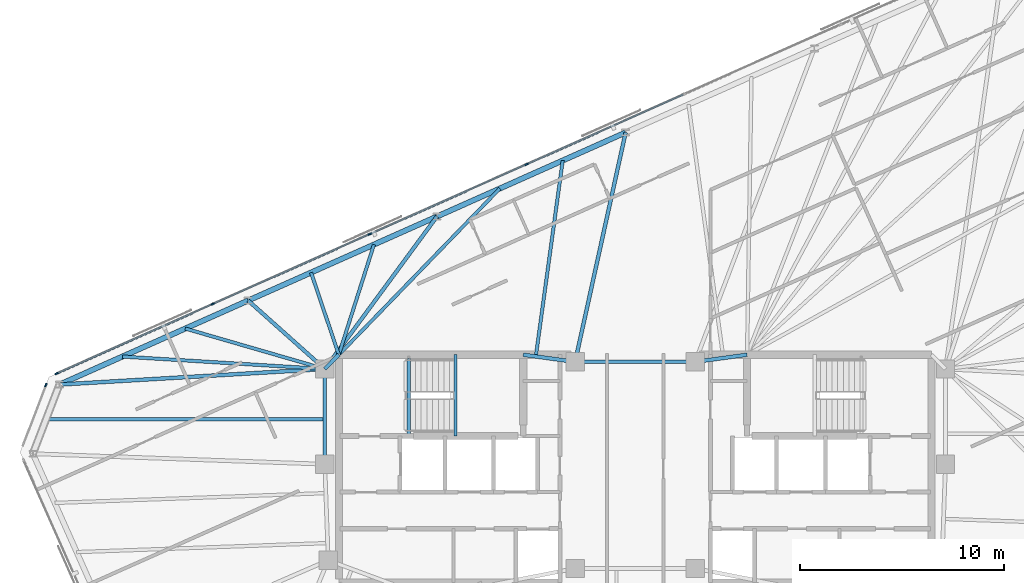
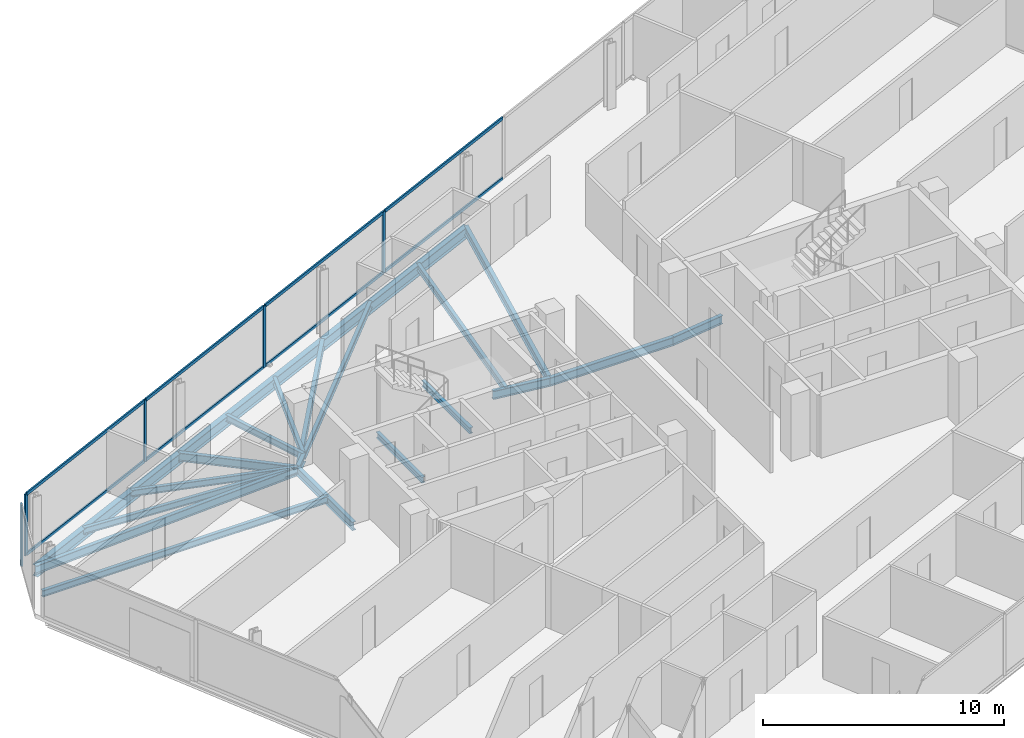
# One storey, part 9 of 19: 21 beams, 13 members, 2 elements without a shape of their own.
"""IFC4 building model written with IfcOpenShell, lengths in metres."""

import ifcopenshell
import ifcopenshell.guid

model = None  # the IFC model being written
_history = None  # IfcOwnerHistory: only IFC2X3 demands one
_inside = {}  # id of a spatial element -> (the spatial element, [elements in it])
_under = {}  # id of a project, library or spatial element -> (it, [spatial elements below it])
_declared = {}  # id of a project -> (the project, [libraries it declares])
_typed = {}  # id of a type object -> (the type object, [elements of that type])
_made_of = {}  # id of a material, layer set ... -> (it, [elements and type objects made of it])


def new_model(schema):
    """Start an empty IFC model of exactly this schema.

    Asked for "IFC4X3", IfcOpenShell would pick the latest addendum, in which some entities
    have other attributes; the version numbers below select the first issue.
    IFC2X3 requires an IfcOwnerHistory on every rooted entity: one is made here for all.
    """
    global model, _history
    if schema == "IFC4X3":
        model = ifcopenshell.file(schema_version=(4, 3, 0, 0))
    else:
        model = ifcopenshell.file(schema=schema)
    _inside.clear()
    _under.clear()
    _declared.clear()
    _typed.clear()
    _made_of.clear()
    _history = None
    if model.schema == "IFC2X3":
        org = make("IfcOrganization", Name="unknown")
        user = make(
            "IfcPersonAndOrganization",
            ThePerson=make("IfcPerson", FamilyName="unknown"),
            TheOrganization=org,
        )
        app = make(
            "IfcApplication",
            ApplicationDeveloper=org,
            Version="unknown",
            ApplicationFullName="unknown",
            ApplicationIdentifier="unknown",
        )
        _history = make(
            "IfcOwnerHistory",
            OwningUser=user,
            OwningApplication=app,
            ChangeAction="ADDED",
            CreationDate=0,
        )
    return model


def make(cls, **values):
    """One entity of the class cls with the attributes given. An attribute that is None is left unset."""
    return model.create_entity(
        cls, **{name: value for name, value in values.items() if value is not None}
    )


def rooted(cls, **values):
    """An entity with a GlobalId (a new one), such as an element, a storey or a relation."""
    return make(cls, GlobalId=ifcopenshell.guid.new(), OwnerHistory=_history, **values)


def si_unit(unit_type, name, prefix=None):
    """IfcSIUnit, for example si_unit("LENGTHUNIT", "METRE", prefix="MILLI")."""
    return make("IfcSIUnit", UnitType=unit_type, Prefix=prefix, Name=name)


def assignment(units):
    """IfcUnitAssignment: the units of a project."""
    return None if units is None else make("IfcUnitAssignment", Units=units)


def point(xyz):
    """IfcCartesianPoint."""
    return None if xyz is None else make("IfcCartesianPoint", Coordinates=xyz)


def direction(xyz):
    """IfcDirection."""
    return None if xyz is None else make("IfcDirection", DirectionRatios=xyz)


def frame(location, z_axis=None, x_axis=None):
    """IfcAxis2Placement3D, a coordinate frame: its origin and axes. An axis left out is left unset."""
    return make(
        "IfcAxis2Placement3D",
        Location=point(location),
        Axis=direction(z_axis),
        RefDirection=direction(x_axis),
    )


def frame_2d(location, x_axis=None):
    """IfcAxis2Placement2D, a coordinate frame in the plane: its origin and x axis."""
    return make(
        "IfcAxis2Placement2D", Location=point(location), RefDirection=direction(x_axis)
    )


def origin():
    """The frame at (0, 0, 0) with its axes left unset."""
    return frame((0.0, 0.0, 0.0))


def origin_2d():
    """The frame at (0, 0) in the plane with its x axis left unset."""
    return frame_2d((0.0, 0.0))


def place(relative_to, where):
    """IfcLocalPlacement: puts the frame where relative to a parent placement (None: the world)."""
    return make(
        "IfcLocalPlacement", PlacementRelTo=relative_to, RelativePlacement=where
    )


def context(
    kind, dimensions, precision=None, world=None, true_north=None, identifier=None
):
    """IfcGeometricRepresentationContext, for example the 3D "Model" context."""
    return make(
        "IfcGeometricRepresentationContext",
        ContextIdentifier=identifier,
        ContextType=kind,
        CoordinateSpaceDimension=dimensions,
        Precision=precision,
        WorldCoordinateSystem=world,
        TrueNorth=true_north,
    )


def subcontext(parent, identifier, kind, view, scale=None):
    """IfcGeometricRepresentationSubContext, for example "Body" below "Model"."""
    return make(
        "IfcGeometricRepresentationSubContext",
        ContextIdentifier=identifier,
        ContextType=kind,
        ParentContext=parent,
        TargetScale=scale,
        TargetView=view,
    )


def project(units=None, contexts=None):
    """IfcProject with its units and contexts."""
    return rooted(
        "IfcProject",
        Name="project",
        RepresentationContexts=contexts,
        UnitsInContext=assignment(units),
    )


def spatial(cls, under=None, at=None, **own):
    """A site, building, storey or space (cls), placed at a placement, below another one or the project."""
    s = rooted(cls, ObjectPlacement=at, **own)
    if under is not None:
        _under.setdefault(under.id(), (under, []))[1].append(s)
    return s


def profile(cls, at=None, kind="AREA", **sizes):
    """A parametric profile (cls). Its sizes go by their IFC names, for example OverallWidth=200.0."""
    return make(cls, ProfileType=kind, Position=at, **sizes)


def rectangle(**sizes):
    """IfcRectangleProfileDef."""
    return profile("IfcRectangleProfileDef", **sizes)


def i_section(**sizes):
    """IfcIShapeProfileDef."""
    return profile("IfcIShapeProfileDef", **sizes)


def extrude(swept, where, along, depth):
    """IfcExtrudedAreaSolid: the profile swept, set in the frame where, extruded along a direction by depth."""
    return make(
        "IfcExtrudedAreaSolid",
        SweptArea=swept,
        Position=where,
        ExtrudedDirection=direction(along),
        Depth=depth,
    )


def shape(context_of_items, identifier, shape_type, items):
    """IfcShapeRepresentation: the items that make up one representation, for example the "Body"."""
    return make(
        "IfcShapeRepresentation",
        ContextOfItems=context_of_items,
        RepresentationIdentifier=identifier,
        RepresentationType=shape_type,
        Items=items,
    )


def material(Name=None, Category=None):
    """IfcMaterial."""
    return make("IfcMaterial", Name=Name, Category=Category)


def material_profile(
    of_material, cross_section, Name=None, Category=None, Priority=None
):
    """IfcMaterialProfile: a cross section and its material."""
    return make(
        "IfcMaterialProfile",
        Name=Name,
        Material=of_material,
        Profile=cross_section,
        Priority=Priority,
        Category=Category,
    )


def profile_set(profiles, Name=None, composite=None):
    """IfcMaterialProfileSet."""
    return make(
        "IfcMaterialProfileSet",
        Name=Name,
        MaterialProfiles=profiles,
        CompositeProfile=composite,
    )


def made_of(thing, what):
    """Note that an element or type object is made of a material, layer set ...; save() writes the relation."""
    if what is not None:
        _made_of.setdefault(what.id(), (what, []))[1].append(thing)
    return thing


def type_object(cls, material=None, **own):
    """A type object (cls), such as IfcWallType, which elements share."""
    return made_of(rooted(cls, **own), material)


def element(
    cls,
    number,
    at=None,
    inside=None,
    cuts=None,
    type_object=None,
    material=None,
    context=None,
    identifier="Body",
    shape_type=None,
    held_by="IfcProductDefinitionShape",
    body=None,
    shapes=None,
    **own,
):
    """One element of the class cls, such as IfcWall. Its Tag is "e" and its number.

    at: its placement. inside: the storey or other place that contains it. cuts: it is an
    opening in that element (IfcRelVoidsElement). A single representation is given by context,
    identifier, shape_type and body (its items); several are given by shapes. held_by: the class
    of the entity that holds the representations. save() writes the other relations.
    """
    e = rooted(cls, Tag="e%d" % number, ObjectPlacement=at, **own)
    if body is not None:
        shapes = [shape(context, identifier, shape_type, body)]
    if shapes is not None:
        e.Representation = make(held_by, Representations=shapes)
    if inside is not None:
        _inside.setdefault(inside.id(), (inside, []))[1].append(e)
    if cuts is not None:
        rooted(
            "IfcRelVoidsElement", RelatingBuildingElement=cuts, RelatedOpeningElement=e
        )
    if type_object is not None:
        _typed.setdefault(type_object.id(), (type_object, []))[1].append(e)
    return made_of(e, material)


def aggregate(whole, parts):
    """IfcRelAggregates: a whole, such as a stair, and the parts it consists of."""
    return rooted("IfcRelAggregates", RelatingObject=whole, RelatedObjects=parts)


def save(model, path):
    """Write the relations noted so far, then the file.

    IfcRelAggregates (storeys below a building ...), IfcRelContainedInSpatialStructure (elements
    in a storey), IfcRelDefinesByType, IfcRelAssociatesMaterial and IfcRelDeclares: one each for
    every whole, place, type object, material and project.
    """
    for whole, parts in _under.values():
        aggregate(whole, parts)
    for where, things in _inside.values():
        rooted(
            "IfcRelContainedInSpatialStructure",
            RelatedElements=things,
            RelatingStructure=where,
        )
    for kind, things in _typed.values():
        rooted("IfcRelDefinesByType", RelatedObjects=things, RelatingType=kind)
    for what, things in _made_of.values():
        rooted("IfcRelAssociatesMaterial", RelatedObjects=things, RelatingMaterial=what)
    for by, libraries in _declared.values():
        rooted("IfcRelDeclares", RelatingContext=by, RelatedDefinitions=libraries)
    model.write(path)


model = new_model("IFC4")

# Units and contexts
model_context = context("Model", 3, precision=1e-05, world=origin(), true_north=direction((0.0, 1.0)))
body_context = subcontext(model_context, "Body", "Model", "MODEL_VIEW")
ifc_project = project(units=[si_unit("LENGTHUNIT", "METRE"), si_unit("AREAUNIT", "SQUARE_METRE"), si_unit("VOLUMEUNIT", "CUBIC_METRE"), si_unit("PLANEANGLEUNIT", "RADIAN"), si_unit("MASSUNIT", "GRAM", prefix="KILO")], contexts=[model_context])

# Site, building, storey
site_placement = place(None, origin())
site = spatial("IfcSite", under=ifc_project, at=site_placement, CompositionType="ELEMENT")
building_placement = place(site_placement, origin())
building = spatial("IfcBuilding", under=site, at=building_placement, Name="Menara Jurai Vektor", CompositionType="ELEMENT")
storey_placement = place(building_placement, frame((0.0, 0.0, 281.89990234375)))
storey = spatial("IfcBuildingStorey", under=building, at=storey_placement, Name="L75", CompositionType="ELEMENT", Elevation=281.89990234375)

# Curtain wall, members
ifc_material_1 = material(Name="Anodised Pale Aluminium & Low-E Double Glazing", Category="aluminium")
curtain_wall_type = type_object("IfcCurtainWallType", Name="CW-BLK5", PredefinedType="NOTDEFINED", material=ifc_material_1)
curtain_wall_1_placement = place(storey_placement, origin())
curtain_wall_1 = element("IfcCurtainWall", 1, at=curtain_wall_1_placement, inside=storey, type_object=curtain_wall_type, Name="Unitised Curtain Wall L75 F05", PredefinedType="NOTDEFINED")
ifc_material_2 = material(Name="Anodised Pale Aluminium Mullion", Category="aluminium")
ifc_material_profile_1 = material_profile(ifc_material_2, rectangle(XDim=0.074951171875, YDim=0.175048828125, at=origin_2d()), Name="ALU MUL 75x175")
ifc_profile_set_1 = profile_set([ifc_material_profile_1], Name="Anodised Pale Aluminium Mullion")
member_type_1 = type_object("IfcMemberType", Name="CW-BLK5-MUL", PredefinedType="MULLION", material=ifc_profile_set_1)
member_1_placement = place(storey_placement, frame((-5.327880859375, 14.957275390625, 0.0), z_axis=(0.0, 0.0, 1.0), x_axis=(0.406735498684, -0.913545967158, 0.0)))
member_1 = element("IfcMember", 2, at=member_1_placement, type_object=member_type_1, Name="CW-05 mullion 4", PredefinedType="MULLION", context=body_context, shape_type="SweptSolid", body=[
    extrude(rectangle(XDim=0.074951171875, YDim=0.175048828125, at=origin_2d()), origin(), (0.0, 0.0, 1.0), 3.125),
])
member_2_placement = place(storey_placement, frame((-13.038330078125, 11.5244140625, 0.0), z_axis=(0.0, 0.0, 1.0), x_axis=(0.406735498684, -0.913545967158, 0.0)))
member_2 = element("IfcMember", 3, at=member_2_placement, type_object=member_type_1, Name="CW-05 mullion 5", PredefinedType="MULLION", context=body_context, shape_type="SweptSolid", body=[
    extrude(rectangle(XDim=0.074951171875, YDim=0.175048828125, at=origin_2d()), origin(), (0.0, 0.0, 1.0), 3.125),
])
member_3_placement = place(storey_placement, frame((-20.748779296875, 8.091552734375, 0.0), z_axis=(0.0, 0.0, 1.0), x_axis=(0.406735498684, -0.913545967158, 0.0)))
member_3 = element("IfcMember", 4, at=member_3_placement, type_object=member_type_1, Name="CW-05 mullion 6", PredefinedType="MULLION", context=body_context, shape_type="SweptSolid", body=[
    extrude(rectangle(XDim=0.074951171875, YDim=0.175048828125, at=origin_2d()), origin(), (0.0, 0.0, 1.0), 3.125),
])
member_4_placement = place(storey_placement, frame((-28.4248046875, 4.674072265625, 0.0), z_axis=(0.0, 0.0, 1.0), x_axis=(0.406735498684, -0.913545967158, 0.0)))
member_4 = element("IfcMember", 5, at=member_4_placement, type_object=member_type_1, Name="CW-05 mullion 7", PredefinedType="MULLION", context=body_context, shape_type="SweptSolid", body=[
    extrude(rectangle(XDim=0.074951171875, YDim=0.175048828125, at=origin_2d()), origin(), (0.0, 0.0, 1.0), 3.125),
])

# Curtain wall, member
curtain_wall_2_placement = place(storey_placement, origin())
curtain_wall_2 = element("IfcCurtainWall", 6, at=curtain_wall_2_placement, inside=storey, type_object=curtain_wall_type, Name="Unitised Curtain Wall L75 F06", PredefinedType="NOTDEFINED")
member_5_placement = place(storey_placement, frame((-28.955810546875, 4.114501953125, 0.0), z_axis=(0.0, 0.0, 1.0), x_axis=(0.933578193639, -0.358373766287, 0.0)))
member_5 = element("IfcMember", 7, at=member_5_placement, type_object=member_type_1, Name="CW-05 mullion 1", PredefinedType="MULLION", context=body_context, shape_type="SweptSolid", body=[
    extrude(rectangle(XDim=0.074951171875, YDim=0.175048828125, at=origin_2d()), origin(), (0.0, 0.0, 1.0), 3.125),
])
aggregate(curtain_wall_2, [member_5])

# Member
ifc_material_3 = material(Name="Anodised Pale Aluminium Transom", Category="aluminium")
ifc_material_profile_2 = material_profile(ifc_material_3, rectangle(XDim=0.074951171875, YDim=0.155029296875, at=origin_2d()), Name="ALU TRN 75x155")
ifc_profile_set_2 = profile_set([ifc_material_profile_2], Name="Anodised Pale Aluminium Transom")
member_type_2 = type_object("IfcMemberType", Name="CW-BLK5-TRN", PredefinedType="USERDEFINED", material=ifc_profile_set_2)
member_6_placement = place(storey_placement, frame((2.34814453125, 18.375, 0.03759765625), z_axis=(-0.913546575494, -0.406734132331, 0.0), x_axis=(0.406734132331, -0.913546575494, 0.0)))
member_6 = element("IfcMember", 8, at=member_6_placement, type_object=member_type_2, Name="CW-05 transom 3.1", ObjectType="TRANSOM", PredefinedType="USERDEFINED", context=body_context, shape_type="SweptSolid", body=[
    extrude(rectangle(XDim=0.074951171875, YDim=0.155029296875, at=origin_2d()), origin(), (0.0, 0.0, 1.0), 8.364990234375),
])

member_7_placement = place(storey_placement, frame((2.34814453125, 18.375, 3.087646484375), z_axis=(-0.913546575494, -0.406734132331, 0.0), x_axis=(0.406734132331, -0.913546575494, 0.0)))
member_7 = element("IfcMember", 9, at=member_7_placement, type_object=member_type_2, Name="CW-05 transom 3.2", ObjectType="TRANSOM", PredefinedType="USERDEFINED", context=body_context, shape_type="SweptSolid", body=[
    extrude(rectangle(XDim=0.074951171875, YDim=0.155029296875, at=origin_2d()), origin(), (0.0, 0.0, 1.0), 8.364990234375),
])

member_8_placement = place(storey_placement, frame((-5.3623046875, 14.942138671875, 0.03759765625), z_axis=(-0.913546575494, -0.406734132331, 0.0), x_axis=(0.406734132331, -0.913546575494, 0.0)))
member_8 = element("IfcMember", 10, at=member_8_placement, type_object=member_type_2, Name="CW-05 transom 4.1", ObjectType="TRANSOM", PredefinedType="USERDEFINED", context=body_context, shape_type="SweptSolid", body=[
    extrude(rectangle(XDim=0.074951171875, YDim=0.155029296875, at=origin_2d()), origin(), (0.0, 0.0, 1.0), 8.364990234375),
])

member_9_placement = place(storey_placement, frame((-5.3623046875, 14.942138671875, 3.087646484375), z_axis=(-0.913546575494, -0.406734132331, 0.0), x_axis=(0.406734132331, -0.913546575494, 0.0)))
member_9 = element("IfcMember", 11, at=member_9_placement, type_object=member_type_2, Name="CW-05 transom 4.2", ObjectType="TRANSOM", PredefinedType="USERDEFINED", context=body_context, shape_type="SweptSolid", body=[
    extrude(rectangle(XDim=0.074951171875, YDim=0.155029296875, at=origin_2d()), origin(), (0.0, 0.0, 1.0), 8.364990234375),
])

member_10_placement = place(storey_placement, frame((-13.072509765625, 11.50927734375, 0.03759765625), z_axis=(-0.913546575494, -0.406734132331, 0.0), x_axis=(0.406734132331, -0.913546575494, 0.0)))
member_10 = element("IfcMember", 12, at=member_10_placement, type_object=member_type_2, Name="CW-05 transom 5.1", ObjectType="TRANSOM", PredefinedType="USERDEFINED", context=body_context, shape_type="SweptSolid", body=[
    extrude(rectangle(XDim=0.074951171875, YDim=0.155029296875, at=origin_2d()), origin(), (0.0, 0.0, 1.0), 8.364990234375),
])

member_11_placement = place(storey_placement, frame((-13.072509765625, 11.50927734375, 3.087646484375), z_axis=(-0.913546575494, -0.406734132331, 0.0), x_axis=(0.406734132331, -0.913546575494, 0.0)))
member_11 = element("IfcMember", 13, at=member_11_placement, type_object=member_type_2, Name="CW-05 transom 5.2", ObjectType="TRANSOM", PredefinedType="USERDEFINED", context=body_context, shape_type="SweptSolid", body=[
    extrude(rectangle(XDim=0.074951171875, YDim=0.155029296875, at=origin_2d()), origin(), (0.0, 0.0, 1.0), 8.364990234375),
])

member_12_placement = place(storey_placement, frame((-20.782958984375, 8.076416015625, 0.03759765625), z_axis=(-0.91353811338, -0.406753138159, 0.0), x_axis=(0.406753138159, -0.91353811338, 0.0)))
member_12 = element("IfcMember", 14, at=member_12_placement, type_object=member_type_2, Name="CW-05 transom 6.1", ObjectType="TRANSOM", PredefinedType="USERDEFINED", context=body_context, shape_type="SweptSolid", body=[
    extrude(rectangle(XDim=0.074951171875, YDim=0.155029296875, at=origin_2d()), origin(), (0.0, 0.0, 1.0), 8.327392578125),
])

member_13_placement = place(storey_placement, frame((-20.782958984375, 8.076416015625, 3.087646484375), z_axis=(-0.91353811338, -0.406753138159, 0.0), x_axis=(0.406753138159, -0.91353811338, 0.0)))
member_13 = element("IfcMember", 15, at=member_13_placement, type_object=member_type_2, Name="CW-05 transom 6.2", ObjectType="TRANSOM", PredefinedType="USERDEFINED", context=body_context, shape_type="SweptSolid", body=[
    extrude(rectangle(XDim=0.074951171875, YDim=0.155029296875, at=origin_2d()), origin(), (0.0, 0.0, 1.0), 8.327392578125),
])

aggregate(curtain_wall_1, [member_1, member_2, member_3, member_4, member_6, member_7, member_8, member_9, member_10, member_11, member_12, member_13])

# Beams
ifc_material_4 = material(Name="Steel S355", Category="steel")
ifc_material_profile_3 = material_profile(ifc_material_4, i_section(OverallWidth=0.18505859375, OverallDepth=0.429931640625, WebThickness=0.010986328125, FlangeThickness=0.01806640625, at=origin_2d()), Name="PG 430x185x76")
ifc_profile_set_3 = profile_set([ifc_material_profile_3], Name="Steel S355")
beam_type_1 = type_object("IfcBeamType", Name="STR-BM-430", PredefinedType="BEAM", material=ifc_profile_set_3)
beam_1_placement = place(storey_placement, frame((-15.25, 4.89990234375, -0.43994140625), z_axis=(0.701871936926, 0.712303154672, 0.0), x_axis=(-0.712303154672, 0.701871936926, 0.0)))
element("IfcBeam", 16, at=beam_1_placement, inside=storey, type_object=beam_type_1, Name="Core Ring Header Girder L75-CHW-N1", PredefinedType="BEAM", context=body_context, shape_type="SweptSolid", body=[
    extrude(i_section(OverallWidth=0.18505859375, OverallDepth=0.429931640625, WebThickness=0.010986328125, FlangeThickness=0.01806640625, at=origin_2d()), origin(), (0.0, 0.0, 1.0), 0.98291015625),
])
beam_2_placement = place(storey_placement, frame((-5.5, 5.60009765625, -0.43994140625), z_axis=(0.990706818608, -0.136014703483, 0.0), x_axis=(0.136014703483, 0.990706818608, 0.0)))
element("IfcBeam", 17, at=beam_2_placement, inside=storey, type_object=beam_type_1, Name="Core Ring Header Girder L75-CHW-N2", PredefinedType="BEAM", context=body_context, shape_type="SweptSolid", body=[
    extrude(i_section(OverallWidth=0.18505859375, OverallDepth=0.429931640625, WebThickness=0.010986328125, FlangeThickness=0.01806640625, at=origin_2d()), origin(), (0.0, 0.0, 1.0), 2.573974609375),
])
beam_3_placement = place(storey_placement, frame((-15.25, 0.219970703125, -0.43994140625), z_axis=(0.0, 1.0, 0.0), x_axis=(-1.0, 0.0, 0.0)))
element("IfcBeam", 18, at=beam_3_placement, inside=storey, type_object=beam_type_1, Name="Core Ring Header Girder L75-CHW-W1", PredefinedType="BEAM", context=body_context, shape_type="SweptSolid", body=[
    extrude(i_section(OverallWidth=0.18505859375, OverallDepth=0.429931640625, WebThickness=0.010986328125, FlangeThickness=0.01806640625, at=origin_2d()), origin(), (0.0, 0.0, 1.0), 4.679931640625),
])
beam_4_placement = place(storey_placement, frame((2.949951171875, 5.25, -0.43994140625), z_axis=(0.990706818608, 0.136014703483, 0.0), x_axis=(-0.136014703483, 0.990706818608, 0.0)))
element("IfcBeam", 19, at=beam_4_placement, inside=storey, type_object=beam_type_1, Name="Core Ring Header Girder L75-CHE-N1", PredefinedType="BEAM", context=body_context, shape_type="SweptSolid", body=[
    extrude(i_section(OverallWidth=0.18505859375, OverallDepth=0.429931640625, WebThickness=0.010986328125, FlangeThickness=0.01806640625, at=origin_2d()), origin(), (0.0, 0.0, 1.0), 2.573974609375),
])
beam_5_placement = place(storey_placement, frame((-2.949951171875, 5.25, -0.43994140625), z_axis=(1.0, 0.0, 0.0), x_axis=(0.0, 1.0, 0.0)))
element("IfcBeam", 20, at=beam_5_placement, inside=storey, type_object=beam_type_1, Name="Core Ring Header Girder L75-CC-2", PredefinedType="BEAM", context=body_context, shape_type="SweptSolid", body=[
    extrude(i_section(OverallWidth=0.18505859375, OverallDepth=0.429931640625, WebThickness=0.010986328125, FlangeThickness=0.01806640625, at=origin_2d()), origin(), (0.0, 0.0, 1.0), 5.89990234375),
])
beam_6_placement = place(storey_placement, frame((-0.467529296875, 16.519287109375, -0.43994140625), z_axis=(-0.215124522255, -0.976586626943, 0.0), x_axis=(0.976586626943, -0.215124522255, 0.0)))
element("IfcBeam", 21, at=beam_6_placement, inside=storey, type_object=beam_type_1, Name="Radial Floor Girder L75-N3", PredefinedType="BEAM", context=body_context, shape_type="SweptSolid", body=[
    extrude(i_section(OverallWidth=0.18505859375, OverallDepth=0.429931640625, WebThickness=0.010986328125, FlangeThickness=0.01806640625, at=origin_2d()), origin(), (0.0, 0.0, 1.0), 11.53955078125),
])
beam_7_placement = place(storey_placement, frame((-9.740966796875, 12.390380859375, -0.43994140625), z_axis=(-0.592483178081, -0.805582822366, 0.0), x_axis=(0.805582822366, -0.592483178081, 0.0)))
element("IfcBeam", 22, at=beam_7_placement, inside=storey, type_object=beam_type_1, Name="Radial Floor Girder L75-N4", PredefinedType="BEAM", context=body_context, shape_type="SweptSolid", body=[
    extrude(i_section(OverallWidth=0.18505859375, OverallDepth=0.429931640625, WebThickness=0.010986328125, FlangeThickness=0.01806640625, at=origin_2d()), origin(), (0.0, 0.0, 1.0), 9.298095703125),
])
beam_8_placement = place(storey_placement, frame((-19.0146484375, 8.26171875, -0.43994140625), z_axis=(0.745886163995, -0.666073442167, 0.0), x_axis=(0.666073442167, 0.745886163995, 0.0)))
element("IfcBeam", 23, at=beam_8_placement, inside=storey, type_object=beam_type_1, Name="Radial Floor Girder L75-N5", PredefinedType="BEAM", context=body_context, shape_type="SweptSolid", body=[
    extrude(i_section(OverallWidth=0.18505859375, OverallDepth=0.429931640625, WebThickness=0.010986328125, FlangeThickness=0.01806640625, at=origin_2d()), origin(), (0.0, 0.0, 1.0), 5.047119140625),
])
beam_9_placement = place(storey_placement, frame((-28.2880859375, 4.1328125, -0.43994140625), z_axis=(0.998273728533, 0.058732979834, 0.0), x_axis=(-0.058732979834, 0.998273728533, 0.0)))
element("IfcBeam", 24, at=beam_9_placement, inside=storey, type_object=beam_type_1, Name="Radial Floor Girder L75-N6", PredefinedType="BEAM", context=body_context, shape_type="SweptSolid", body=[
    extrude(i_section(OverallWidth=0.18505859375, OverallDepth=0.429931640625, WebThickness=0.010986328125, FlangeThickness=0.01806640625, at=origin_2d()), origin(), (0.0, 0.0, 1.0), 13.060546875),
])
ifc_material_profile_4 = material_profile(ifc_material_4, i_section(OverallWidth=0.1650390625, OverallDepth=0.330078125, WebThickness=0.009033203125, FlangeThickness=0.013916015625, at=origin_2d()), Name="PG 330x165x46")
ifc_profile_set_4 = profile_set([ifc_material_profile_4], Name="Steel S355")
beam_type_2 = type_object("IfcBeamType", Name="STR-JS-330", PredefinedType="JOIST", material=ifc_profile_set_4)
beam_10_placement = place(storey_placement, frame((-3.55859375, 15.14306640625, -0.389892578125), z_axis=(-0.135981954601, -0.990711314169, 0.0), x_axis=(0.990711314169, -0.135981954601, 0.0)))
element("IfcBeam", 25, at=beam_10_placement, inside=storey, type_object=beam_type_2, Name="Radial Secondary Floor Joist L75-JS19", PredefinedType="JOIST", context=body_context, shape_type="SweptSolid", body=[
    extrude(i_section(OverallWidth=0.1650390625, OverallDepth=0.330078125, WebThickness=0.009033203125, FlangeThickness=0.013916015625, at=origin_2d()), origin(), (0.0, 0.0, 1.0), 9.718505859375),
])
beam_11_placement = place(storey_placement, frame((-6.64990234375, 13.766845703125, -0.389892578125), z_axis=(-0.695732556791, -0.718300918433, 0.0), x_axis=(0.718300918433, -0.695732556791, 0.0)))
element("IfcBeam", 26, at=beam_11_placement, inside=storey, type_object=beam_type_2, Name="Radial Secondary Floor Joist L75-JS20", PredefinedType="JOIST", context=body_context, shape_type="SweptSolid", body=[
    extrude(i_section(OverallWidth=0.1650390625, OverallDepth=0.330078125, WebThickness=0.009033203125, FlangeThickness=0.013916015625, at=origin_2d()), origin(), (0.0, 0.0, 1.0), 11.36962890625),
])
beam_12_placement = place(storey_placement, frame((-12.832275390625, 11.01416015625, -0.389892578125), z_axis=(-0.304022753529, -0.952664770702, 0.0), x_axis=(0.952664770702, -0.304022753529, 0.0)))
element("IfcBeam", 27, at=beam_12_placement, inside=storey, type_object=beam_type_2, Name="Radial Secondary Floor Joist L75-JS21", PredefinedType="JOIST", context=body_context, shape_type="SweptSolid", body=[
    extrude(i_section(OverallWidth=0.1650390625, OverallDepth=0.330078125, WebThickness=0.009033203125, FlangeThickness=0.013916015625, at=origin_2d()), origin(), (0.0, 0.0, 1.0), 5.68310546875),
])
beam_13_placement = place(storey_placement, frame((-15.92333984375, 9.637939453125, -0.389892578125), z_axis=(0.319885998438, -0.947456040143, 0.0), x_axis=(0.947456040143, 0.319885998438, 0.0)))
element("IfcBeam", 28, at=beam_13_placement, inside=storey, type_object=beam_type_2, Name="Radial Secondary Floor Joist L75-JS22", PredefinedType="JOIST", context=body_context, shape_type="SweptSolid", body=[
    extrude(i_section(OverallWidth=0.1650390625, OverallDepth=0.330078125, WebThickness=0.009033203125, FlangeThickness=0.013916015625, at=origin_2d()), origin(), (0.0, 0.0, 1.0), 4.26171875),
])
beam_14_placement = place(storey_placement, frame((-22.105712890625, 6.885498046875, -0.389892578125), z_axis=(0.960525066064, -0.278193453306, 0.0), x_axis=(0.278193453306, 0.960525066064, 0.0)))
element("IfcBeam", 29, at=beam_14_placement, inside=storey, type_object=beam_type_2, Name="Radial Secondary Floor Joist L75-JS23", PredefinedType="JOIST", context=body_context, shape_type="SweptSolid", body=[
    extrude(i_section(OverallWidth=0.1650390625, OverallDepth=0.330078125, WebThickness=0.009033203125, FlangeThickness=0.013916015625, at=origin_2d()), origin(), (0.0, 0.0, 1.0), 7.137451171875),
])
beam_15_placement = place(storey_placement, frame((-25.197021484375, 5.509033203125, -0.389892578125), z_axis=(0.998130240593, -0.061123013776, 0.0), x_axis=(0.061123013776, 0.998130240593, 0.0)))
element("IfcBeam", 30, at=beam_15_placement, inside=storey, type_object=beam_type_2, Name="Radial Secondary Floor Joist L75-JS24", PredefinedType="JOIST", context=body_context, shape_type="SweptSolid", body=[
    extrude(i_section(OverallWidth=0.1650390625, OverallDepth=0.330078125, WebThickness=0.009033203125, FlangeThickness=0.013916015625, at=origin_2d()), origin(), (0.0, 0.0, 1.0), 9.965576171875),
])
beam_16_placement = place(storey_placement, frame((-28.93994140625, 2.434814453125, -0.389892578125), z_axis=(1.0, 0.0, 0.0), x_axis=(0.0, 1.0, 0.0)))
element("IfcBeam", 31, at=beam_16_placement, inside=storey, type_object=beam_type_2, Name="Radial Secondary Floor Joist L75-JS25", PredefinedType="JOIST", context=body_context, shape_type="SweptSolid", body=[
    extrude(i_section(OverallWidth=0.1650390625, OverallDepth=0.330078125, WebThickness=0.009033203125, FlangeThickness=0.013916015625, at=origin_2d()), origin(), (0.0, 0.0, 1.0), 13.68994140625),
])
ifc_material_profile_5 = material_profile(ifc_material_4, i_section(OverallWidth=0.1650390625, OverallDepth=0.302978515625, WebThickness=0.006103515625, FlangeThickness=0.010009765625, FilletRadius=0.009033203125, at=origin_2d()), Name="UKB 305x165x40")
ifc_profile_set_5 = profile_set([ifc_material_profile_5], Name="Steel S355")
beam_type_3 = type_object("IfcBeamType", Name="STR-LN-305", PredefinedType="LINTEL", material=ifc_profile_set_5)
beam_17_placement = place(storey_placement, frame((-11.1201171875, 1.60009765625, -0.37646484375), z_axis=(0.0, 1.0, 0.0), x_axis=(-1.0, 0.0, 0.0)))
element("IfcBeam", 32, at=beam_17_placement, inside=storey, type_object=beam_type_3, Name="Stair Well Floor Trimmer ST1 L75", PredefinedType="LINTEL", context=body_context, shape_type="SweptSolid", body=[
    extrude(i_section(OverallWidth=0.1650390625, OverallDepth=0.302978515625, WebThickness=0.006103515625, FlangeThickness=0.010009765625, FilletRadius=0.009033203125, at=origin_2d()), origin(), (0.0, 0.0, 1.0), 3.81982421875),
])
beam_18_placement = place(storey_placement, frame((-8.830078125, 1.60009765625, 1.323486328125), z_axis=(0.0, 1.0, 0.0), x_axis=(-1.0, 0.0, 0.0)))
element("IfcBeam", 33, at=beam_18_placement, inside=storey, type_object=beam_type_3, Name="Stair Half-Landing Nosing Trimmer ST1-1 L75", PredefinedType="LINTEL", context=body_context, shape_type="SweptSolid", body=[
    extrude(i_section(OverallWidth=0.1650390625, OverallDepth=0.302978515625, WebThickness=0.006103515625, FlangeThickness=0.010009765625, FilletRadius=0.009033203125, at=origin_2d()), origin(), (0.0, 0.0, 1.0), 4.0),
])
ifc_material_profile_6 = material_profile(ifc_material_4, i_section(OverallWidth=0.260009765625, OverallDepth=0.570068359375, WebThickness=0.013916015625, FlangeThickness=0.02392578125, at=origin_2d()), Name="PG 570x260x145")
ifc_profile_set_6 = profile_set([ifc_material_profile_6], Name="Steel S355")
beam_type_4 = type_object("IfcBeamType", Name="STR-SP-570", PredefinedType="SPANDREL", material=ifc_profile_set_6)
for number, where, z_axis, x_axis, name in (
    (34, (-0.467529296875, 16.519287109375, -0.510009765625), (-0.913541582548, -0.406745346568, 0.0), (0.406745346568, -0.913541582548, 0.0), "Exoskeleton Spandrel Beam L75-13"),
    (35, (-9.740966796875, 12.390380859375, -0.510009765625), (-0.913554497648, -0.406716338284, 0.0), (0.406716338284, -0.913554497648, 0.0), "Exoskeleton Spandrel Beam L75-14"),
    (36, (-19.0146484375, 8.26171875, -0.510009765625), (-0.913541582548, -0.406745346568, 0.0), (0.406745346568, -0.913541582548, 0.0), "Exoskeleton Spandrel Beam L75-15"),
):
    element("IfcBeam", number, at=place(storey_placement, frame(where, z_axis=z_axis, x_axis=x_axis)), inside=storey, type_object=beam_type_4, Name=name, PredefinedType="SPANDREL", context=body_context, shape_type="SweptSolid", body=[
        extrude(i_section(OverallWidth=0.260009765625, OverallDepth=0.570068359375, WebThickness=0.013916015625, FlangeThickness=0.02392578125, at=origin_2d()), origin(), (0.0, 0.0, 1.0), 10.151123046875),
    ])

save(model, "model.ifc")
